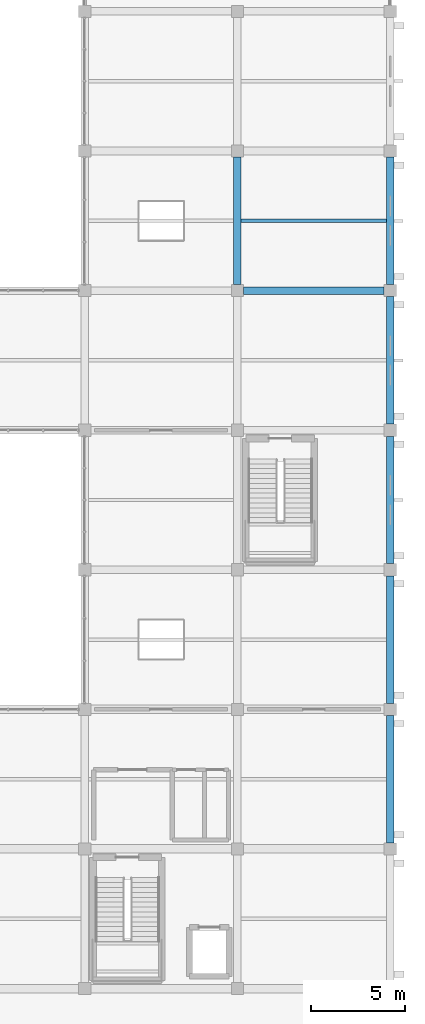
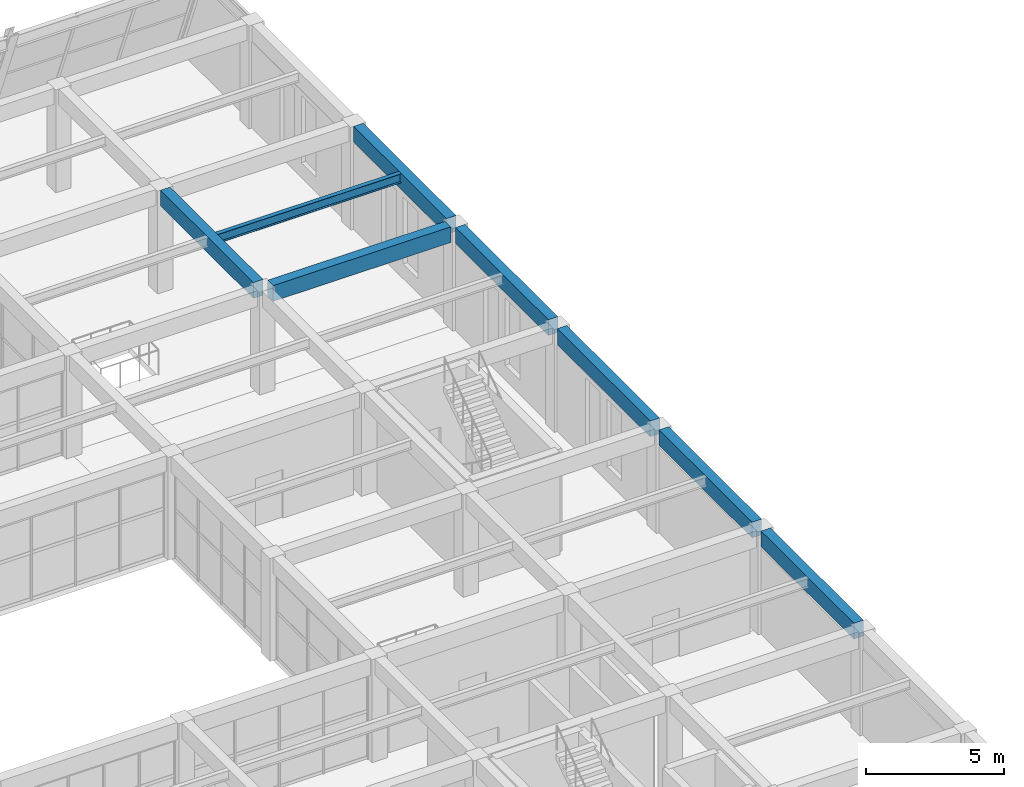
# One storey, part 121 of 161: 8 beams.
"""IFC4 building model written with IfcOpenShell, lengths in metres."""

from ifc_helpers import new_model, si_unit, direction, frame, origin, origin_2d, place, context, subcontext, project, spatial, rectangle, i_section, extrude, material, material_profile, profile_set, type_object, element, save


model = new_model("IFC4")

# Units and contexts
model_context = context("Model", 3, precision=1e-05, world=origin(), true_north=direction((0.0, 1.0)))
body_context = subcontext(model_context, "Body", "Model", "MODEL_VIEW")
ifc_project = project(units=[si_unit("LENGTHUNIT", "METRE"), si_unit("AREAUNIT", "SQUARE_METRE"), si_unit("VOLUMEUNIT", "CUBIC_METRE"), si_unit("PLANEANGLEUNIT", "RADIAN"), si_unit("MASSUNIT", "GRAM", prefix="KILO")], contexts=[model_context])

# Site, building, storey
site_placement = place(None, origin())
site = spatial("IfcSite", under=ifc_project, at=site_placement, CompositionType="ELEMENT")
building_placement = place(site_placement, origin())
building = spatial("IfcBuilding", under=site, at=building_placement, Name="Cimatlan Art Gallery", CompositionType="ELEMENT")
storey_placement = place(building_placement, frame((0.0, 0.0, 5.39990234375)))
storey = spatial("IfcBuildingStorey", under=building, at=storey_placement, Name="L01", CompositionType="ELEMENT", Elevation=5.39990234375)

# Beams
ifc_material_1 = material(Name="Concrete C40/50", Category="concrete")
ifc_material_profile_1 = material_profile(ifc_material_1, rectangle(XDim=0.39990234375, YDim=0.699951171875, at=origin_2d()), Name="RC400X700")
ifc_profile_set_1 = profile_set([ifc_material_profile_1], Name="Concrete C40/50")
beam_type_1 = type_object("IfcBeamType", Name="BM-RC-400X700", PredefinedType="BEAM", material=ifc_profile_set_1)
for number, where, z_axis, x_axis, name in (
    (1, (155.89990234375, 61.22509765625, 4.210205078125), (0.0, 1.0, 0.0), (-1.0, 0.0, 0.0), "BM-Y-L01-19-08"),
    (2, (164.0, 31.625, 4.210205078125), (0.0, 1.0, 0.0), (-1.0, 0.0, 0.0), "BM-Y-L01-20-04"),
    (3, (164.0, 39.02490234375, 4.210205078125), (0.0, 1.0, 0.0), (-1.0, 0.0, 0.0), "BM-Y-L01-20-05"),
    (4, (164.0, 46.425048828125, 4.210205078125), (0.0, 1.0, 0.0), (-1.0, 0.0, 0.0), "BM-Y-L01-20-06"),
    (5, (164.0, 53.824951171875, 4.210205078125), (0.0, 1.0, 0.0), (-1.0, 0.0, 0.0), "BM-Y-L01-20-07"),
    (6, (164.0, 61.22509765625, 4.210205078125), (0.0, 1.0, 0.0), (-1.0, 0.0, 0.0), "BM-Y-L01-20-08"),
):
    element("IfcBeam", number, at=place(storey_placement, frame(where, z_axis=z_axis, x_axis=x_axis)), inside=storey, type_object=beam_type_1, Name=name, PredefinedType="BEAM", context=body_context, shape_type="SweptSolid", body=[
        extrude(rectangle(XDim=0.39990234375, YDim=0.699951171875, at=origin_2d()), origin(), (0.0, 0.0, 1.0), 6.75),
    ])
beam_1_placement = place(storey_placement, frame((156.22509765625, 60.89990234375, 4.210205078125), z_axis=(1.0, 0.0, 0.0), x_axis=(0.0, 1.0, 0.0)))
element("IfcBeam", 7, at=beam_1_placement, inside=storey, type_object=beam_type_1, Name="BM-X-L01-19-08", PredefinedType="BEAM", context=body_context, shape_type="SweptSolid", body=[
    extrude(rectangle(XDim=0.39990234375, YDim=0.699951171875, at=origin_2d()), origin(), (0.0, 0.0, 1.0), 7.449951171875),
])
ifc_material_2 = material(Name="Steel ASTM A992 Grade 50", Category="steel")
ifc_material_profile_2 = material_profile(ifc_material_2, i_section(OverallWidth=0.177978515625, OverallDepth=0.406982421875, WebThickness=0.0078125, FlangeThickness=0.0126953125, at=origin_2d()), Name="W16X40")
ifc_profile_set_2 = profile_set([ifc_material_profile_2], Name="Steel ASTM A992 Grade 50")
beam_type_2 = type_object("IfcBeamType", Name="BM-STL-W16X40", PredefinedType="JOIST", material=ifc_profile_set_2)
beam_2_placement = place(storey_placement, frame((156.10009765625, 64.60009765625, 4.356689453125), z_axis=(1.0, 0.0, 0.0), x_axis=(0.0, 1.0, 0.0)))
element("IfcBeam", 8, at=beam_2_placement, inside=storey, type_object=beam_type_2, Name="JST-L01-19-08", PredefinedType="JOIST", context=body_context, shape_type="SweptSolid", body=[
    extrude(i_section(OverallWidth=0.177978515625, OverallDepth=0.406982421875, WebThickness=0.0078125, FlangeThickness=0.0126953125, at=origin_2d()), origin(), (0.0, 0.0, 1.0), 7.699951171875),
])

save(model, "model.ifc")
